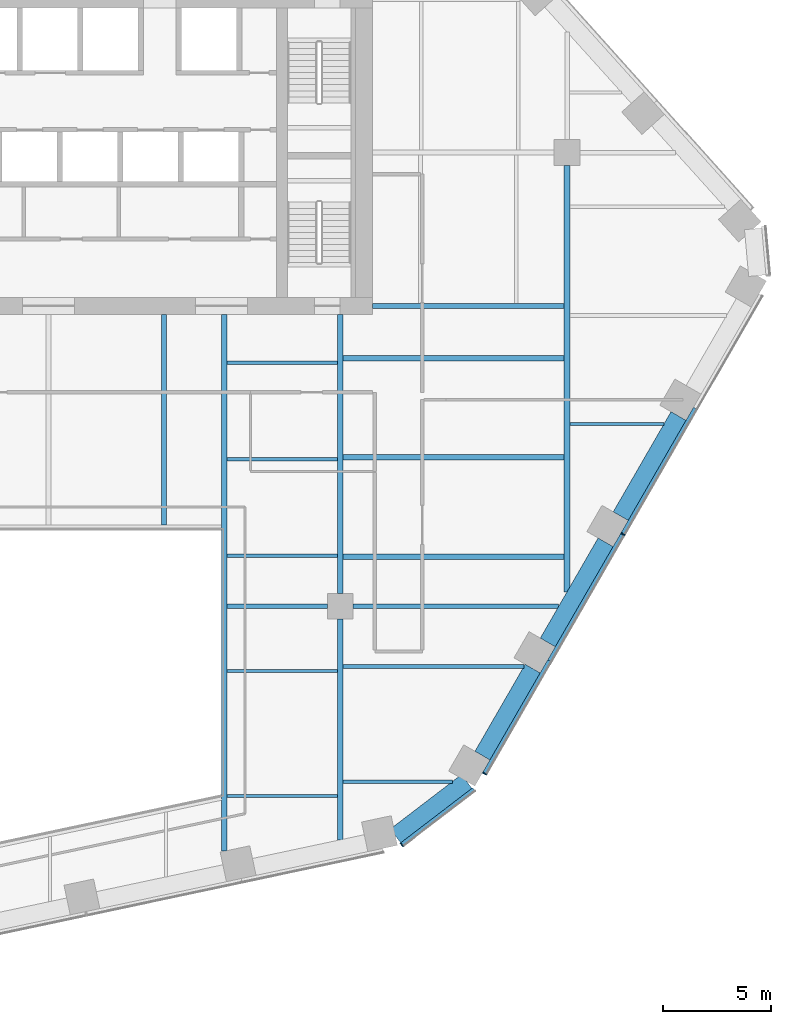
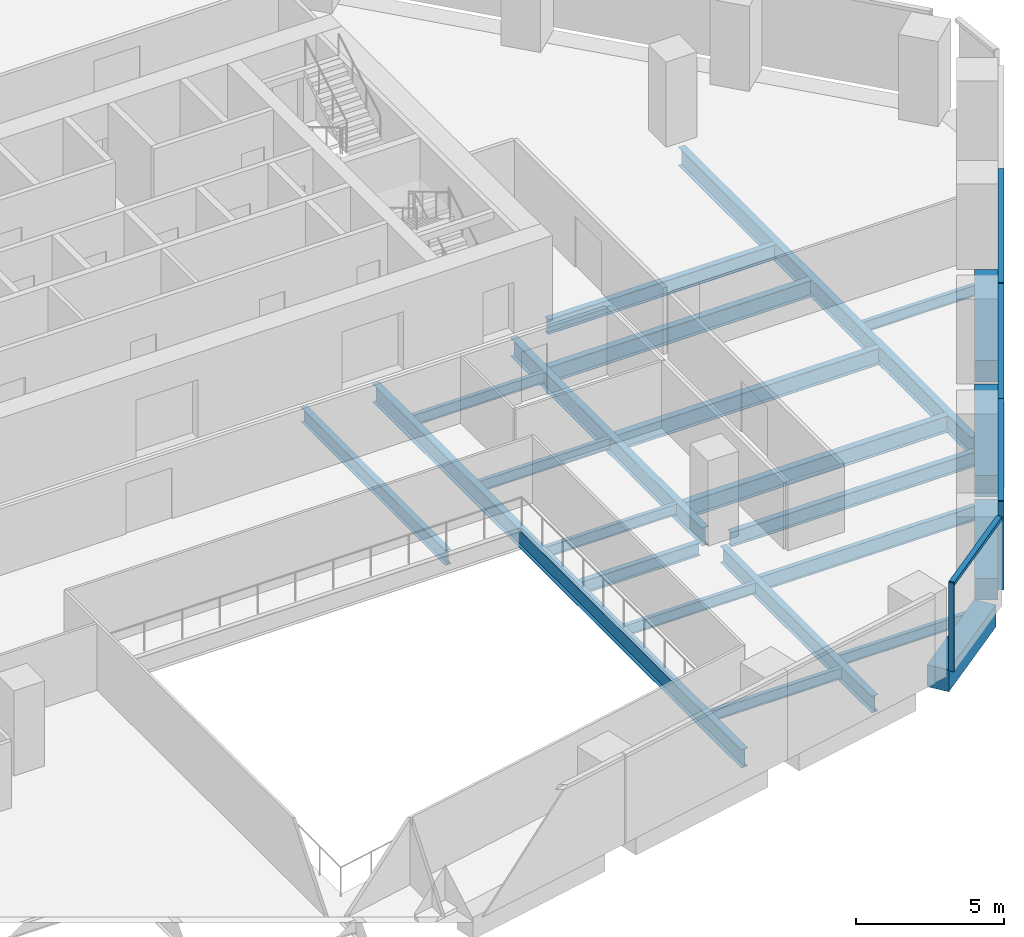
# One storey, part 5 of 16: 23 beams, 7 members, 2 elements without a shape of their own.
"""IFC4 building model written with IfcOpenShell, lengths in metres."""

from ifc_helpers import new_model, si_unit, direction, frame, origin, origin_2d, place, context, subcontext, project, spatial, rectangle, i_section, extrude, material, layer, layer_set, material_profile, profile_set, type_object, element, aggregate, save


model = new_model("IFC4")

# Units and contexts
model_context = context("Model", 3, precision=1e-05, world=origin(), true_north=direction((0.0, 1.0)))
body_context = subcontext(model_context, "Body", "Model", "MODEL_VIEW")
ifc_project = project(units=[si_unit("LENGTHUNIT", "METRE"), si_unit("AREAUNIT", "SQUARE_METRE"), si_unit("VOLUMEUNIT", "CUBIC_METRE"), si_unit("PLANEANGLEUNIT", "RADIAN"), si_unit("MASSUNIT", "GRAM", prefix="KILO")], contexts=[model_context])

# Site, building, storey
site_placement = place(None, origin())
site = spatial("IfcSite", under=ifc_project, at=site_placement, CompositionType="ELEMENT")
building_placement = place(site_placement, origin())
building = spatial("IfcBuilding", under=site, at=building_placement, Name="Isthmus Gate Tower", CompositionType="ELEMENT")
storey_placement = place(building_placement, frame((0.0, 0.0, 155.35009765625)))
storey = spatial("IfcBuildingStorey", under=building, at=storey_placement, Name="L38", CompositionType="ELEMENT", Elevation=155.35009765625)

# Curtain wall, member
ifc_material_1 = material(Name="Aluminium, pale champagne anodised", Category="aluminium")
ifc_layer = layer(ifc_material_1, 0.199951171875)
ifc_layer_set = layer_set([ifc_layer], Name="CW-1 UNITISED CURTAIN WALL 200 DEEP")
curtain_wall_type = type_object("IfcCurtainWallType", Name="CW-1 UNITISED CURTAIN WALL 200 DEEP", PredefinedType="NOTDEFINED", material=ifc_layer_set)
curtain_wall_1_placement = place(storey_placement, origin())
curtain_wall_1 = element("IfcCurtainWall", 1, at=curtain_wall_1_placement, inside=storey, type_object=curtain_wall_type, Name="CW-1 S-SE L38", PredefinedType="NOTDEFINED")
ifc_material_2 = material(Name="Aluminium, pale champagne anodised", Category="aluminium")
ifc_material_profile_1 = material_profile(ifc_material_2, rectangle(XDim=0.06005859375, YDim=0.199951171875, at=origin_2d()), Name="60x200")
ifc_profile_set_1 = profile_set([ifc_material_profile_1], Name="Aluminium, pale champagne anodised")
member_type_1 = type_object("IfcMemberType", Name="CW-1 MULLION 60 X 200", PredefinedType="MULLION", material=ifc_profile_set_1)
member_1_placement = place(storey_placement, frame((16.346435546875, -24.5419921875, 0.0), z_axis=(0.0, 0.0, 1.0), x_axis=(0.794188594387, 0.607671355706, 0.0)))
member_1 = element("IfcMember", 2, at=member_1_placement, type_object=member_type_1, Name="CW-1 mullion", PredefinedType="MULLION", context=body_context, shape_type="SweptSolid", body=[
    extrude(rectangle(XDim=0.06005859375, YDim=0.199951171875, at=origin_2d()), origin(), (0.0, 0.0, 1.0), 3.64990234375),
])

# Curtain wall, members
curtain_wall_2_placement = place(storey_placement, origin())
curtain_wall_2 = element("IfcCurtainWall", 3, at=curtain_wall_2_placement, inside=storey, type_object=curtain_wall_type, Name="CW-1 SE L38", PredefinedType="NOTDEFINED")
member_2_placement = place(storey_placement, frame((20.18115234375, -21.245361328125, 0.0), z_axis=(0.0, 0.0, 1.0), x_axis=(0.5, 0.866025403784, 0.0)))
member_2 = element("IfcMember", 4, at=member_2_placement, type_object=member_type_1, Name="CW-1 mullion", PredefinedType="MULLION", context=body_context, shape_type="SweptSolid", body=[
    extrude(rectangle(XDim=0.06005859375, YDim=0.199951171875, at=origin_2d()), origin(), (0.0, 0.0, 1.0), 3.64990234375),
])
member_3_placement = place(storey_placement, frame((26.5810546875, -10.16015625, 0.0), z_axis=(0.0, 0.0, 1.0), x_axis=(0.5, 0.866025403784, 0.0)))
member_3 = element("IfcMember", 5, at=member_3_placement, type_object=member_type_1, Name="CW-1 mullion", PredefinedType="MULLION", context=body_context, shape_type="SweptSolid", body=[
    extrude(rectangle(XDim=0.06005859375, YDim=0.199951171875, at=origin_2d()), origin(), (0.0, 0.0, 1.0), 3.64990234375),
])

# Member
ifc_material_3 = material(Name="Aluminium, pale champagne anodised", Category="aluminium")
ifc_material_profile_2 = material_profile(ifc_material_3, rectangle(XDim=0.199951171875, YDim=0.139892578125, at=origin_2d()), Name="200x140")
ifc_profile_set_2 = profile_set([ifc_material_profile_2], Name="Aluminium, pale champagne anodised")
member_type_2 = type_object("IfcMemberType", Name="CW-1 TRANSOM 200 X 140", PredefinedType="USERDEFINED", material=ifc_profile_set_2)
member_4_placement = place(storey_placement, frame((16.3701171875, -24.52392578125, 3.579833984375), z_axis=(0.79419705805, 0.607660294066, 0.0), x_axis=(-0.607660294066, 0.79419705805, 0.0)))
member_4 = element("IfcMember", 6, at=member_4_placement, type_object=member_type_2, Name="CW-1 transom", ObjectType="TRANSOM", PredefinedType="USERDEFINED", context=body_context, shape_type="SweptSolid", body=[
    extrude(rectangle(XDim=0.199951171875, YDim=0.139892578125, at=origin_2d()), origin(), (0.0, 0.0, 1.0), 4.181640625),
])

aggregate(curtain_wall_1, [member_1, member_4])

member_5_placement = place(storey_placement, frame((20.196044921875, -21.219482421875, 3.579833984375), z_axis=(0.499996458184, 0.866027448643, 0.0), x_axis=(-0.866027448643, 0.499996458184, 0.0)))
member_5 = element("IfcMember", 7, at=member_5_placement, type_object=member_type_2, Name="CW-1 transom", ObjectType="TRANSOM", PredefinedType="USERDEFINED", context=body_context, shape_type="SweptSolid", body=[
    extrude(rectangle(XDim=0.199951171875, YDim=0.139892578125, at=origin_2d()), origin(), (0.0, 0.0, 1.0), 5.990234375),
])

member_6_placement = place(storey_placement, frame((23.191162109375, -16.03173828125, 3.579833984375), z_axis=(0.499997969693, 0.866026575979, 0.0), x_axis=(-0.866026575979, 0.499997969693, 0.0)))
member_6 = element("IfcMember", 8, at=member_6_placement, type_object=member_type_2, Name="CW-1 transom", ObjectType="TRANSOM", PredefinedType="USERDEFINED", context=body_context, shape_type="SweptSolid", body=[
    extrude(rectangle(XDim=0.199951171875, YDim=0.139892578125, at=origin_2d()), origin(), (0.0, 0.0, 1.0), 6.75),
])

member_7_placement = place(storey_placement, frame((26.59619140625, -10.134033203125, 3.579833984375), z_axis=(0.499997283838, 0.866026971956, 0.0), x_axis=(-0.866026971956, 0.499997283838, 0.0)))
member_7 = element("IfcMember", 9, at=member_7_placement, type_object=member_type_2, Name="CW-1 transom", ObjectType="TRANSOM", PredefinedType="USERDEFINED", context=body_context, shape_type="SweptSolid", body=[
    extrude(rectangle(XDim=0.199951171875, YDim=0.139892578125, at=origin_2d()), origin(), (0.0, 0.0, 1.0), 6.68994140625),
])

aggregate(curtain_wall_2, [member_2, member_5, member_6, member_3, member_7])

# Beams
ifc_material_4 = material(Name="Concrete f'c 60 MPa", Category="concrete")
ifc_material_profile_3 = material_profile(ifc_material_4, rectangle(XDim=0.800048828125, YDim=0.89990234375, at=origin_2d()), Name="RC 800X900")
ifc_profile_set_3 = profile_set([ifc_material_profile_3], Name="Concrete f'c 60 MPa")
beam_type_1 = type_object("IfcBeamType", Name="RC SPANDREL 800 X 900", PredefinedType="SPANDREL", material=ifc_profile_set_3)
for number, where, z_axis, x_axis, name in (
    (10, (29.158203125, -4.696533203125, -0.4501953125), (-0.500001594578, -0.866024483152, 0.0), (0.866024483152, -0.500001594578, 0.0), "str-spandrel-L38-07"),
    (11, (25.783203125, -10.542236328125, -0.4501953125), (-0.500001594578, -0.866024483152, 0.0), (0.866024483152, -0.500001594578, 0.0), "str-spandrel-L38-08"),
):
    element("IfcBeam", number, at=place(storey_placement, frame(where, z_axis=z_axis, x_axis=x_axis)), inside=storey, type_object=beam_type_1, Name=name, PredefinedType="SPANDREL", context=body_context, shape_type="SweptSolid", body=[
        extrude(rectangle(XDim=0.800048828125, YDim=0.89990234375, at=origin_2d()), origin(), (0.0, 0.0, 1.0), 5.35009765625),
    ])
beam_1_placement = place(storey_placement, frame((22.408203125, -16.387939453125, -0.4501953125), z_axis=(-0.500001179632, -0.866024722723, 0.0), x_axis=(0.866024722723, -0.500001179632, 0.0)))
element("IfcBeam", 12, at=beam_1_placement, inside=storey, type_object=beam_type_1, Name="str-spandrel-L38-09", PredefinedType="SPANDREL", context=body_context, shape_type="SweptSolid", body=[
    extrude(rectangle(XDim=0.800048828125, YDim=0.89990234375, at=origin_2d()), origin(), (0.0, 0.0, 1.0), 4.650390625),
])
beam_2_placement = place(storey_placement, frame((19.354248046875, -21.611083984375, -0.4501953125), z_axis=(-0.794205941875, -0.607648682949, 0.0), x_axis=(0.607648682949, -0.794205941875, 0.0)))
element("IfcBeam", 13, at=beam_2_placement, inside=storey, type_object=beam_type_1, Name="str-spandrel-L38-10", PredefinedType="SPANDREL", context=body_context, shape_type="SweptSolid", body=[
    extrude(rectangle(XDim=0.800048828125, YDim=0.89990234375, at=origin_2d()), origin(), (0.0, 0.0, 1.0), 4.15234375),
])
ifc_material_5 = material(Name="Structural steel ASTM A992 Gr 50", Category="steel")
ifc_material_profile_4 = material_profile(ifc_material_5, i_section(OverallWidth=0.15234375, OverallDepth=0.45068359375, WebThickness=0.0078125, FlangeThickness=0.010986328125, at=origin_2d()), Name="W18X35")
ifc_profile_set_4 = profile_set([ifc_material_profile_4], Name="Structural steel ASTM A992 Gr 50")
beam_type_2 = type_object("IfcBeamType", Name="STEEL FLOOR BEAM W18X35", PredefinedType="JOIST", material=ifc_profile_set_4)
for number, where, z_axis, x_axis, name in (
    (14, (8.263427734375, -22.283203125, -0.37548828125), (1.0, 0.0, 0.0), (0.0, 1.0, 0.0), "str-beam-L38-09-00"),
    (15, (8.263427734375, -16.49755859375, -0.37548828125), (1.0, 0.0, 0.0), (0.0, 1.0, 0.0), "str-beam-L38-09-01"),
):
    element("IfcBeam", number, at=place(storey_placement, frame(where, z_axis=z_axis, x_axis=x_axis)), inside=storey, type_object=beam_type_2, Name=name, PredefinedType="JOIST", context=body_context, shape_type="SweptSolid", body=[
        extrude(i_section(OverallWidth=0.15234375, OverallDepth=0.45068359375, WebThickness=0.0078125, FlangeThickness=0.010986328125, at=origin_2d()), origin(), (0.0, 0.0, 1.0), 5.109619140625),
    ])
for number, where, z_axis, x_axis, name in (
    (16, (8.263427734375, -11.16259765625, -0.37548828125), (1.0, 0.0, 0.0), (0.0, 1.0, 0.0), "str-beam-L38-10-00"),
    (17, (8.263427734375, -6.697509765625, -0.37548828125), (1.0, 0.0, 0.0), (0.0, 1.0, 0.0), "str-beam-L38-10-01"),
    (18, (8.263427734375, -2.232421875, -0.37548828125), (1.0, 0.0, 0.0), (0.0, 1.0, 0.0), "str-beam-L38-10-02"),
):
    element("IfcBeam", number, at=place(storey_placement, frame(where, z_axis=z_axis, x_axis=x_axis)), inside=storey, type_object=beam_type_2, Name=name, PredefinedType="JOIST", context=body_context, shape_type="SweptSolid", body=[
        extrude(i_section(OverallWidth=0.15234375, OverallDepth=0.45068359375, WebThickness=0.0078125, FlangeThickness=0.010986328125, at=origin_2d()), origin(), (0.0, 0.0, 1.0), 5.104736328125),
    ])
beam_3_placement = place(storey_placement, frame((13.626953125, -21.61767578125, -0.37548828125), z_axis=(1.0, 0.0, 0.0), x_axis=(0.0, 1.0, 0.0)))
element("IfcBeam", 19, at=beam_3_placement, inside=storey, type_object=beam_type_2, Name="str-beam-L38-11-00", PredefinedType="JOIST", context=body_context, shape_type="SweptSolid", body=[
    extrude(i_section(OverallWidth=0.15234375, OverallDepth=0.45068359375, WebThickness=0.0078125, FlangeThickness=0.010986328125, at=origin_2d()), origin(), (0.0, 0.0, 1.0), 5.060302734375),
])
beam_4_placement = place(storey_placement, frame((24.13330078125, -5.0625, -0.37548828125), z_axis=(1.0, 0.0, 0.0), x_axis=(0.0, 1.0, 0.0)))
element("IfcBeam", 20, at=beam_4_placement, inside=storey, type_object=beam_type_2, Name="str-beam-L38-16-00", PredefinedType="JOIST", context=body_context, shape_type="SweptSolid", body=[
    extrude(i_section(OverallWidth=0.15234375, OverallDepth=0.45068359375, WebThickness=0.0078125, FlangeThickness=0.010986328125, at=origin_2d()), origin(), (0.0, 0.0, 1.0), 4.351806640625),
])
ifc_material_6 = material(Name="Structural steel ASTM A992 Gr 50", Category="steel")
ifc_material_profile_5 = material_profile(ifc_material_6, i_section(OverallWidth=0.177734375, OverallDepth=0.60009765625, WebThickness=0.009521484375, FlangeThickness=0.0126953125, at=origin_2d()), Name="W24X55")
ifc_profile_set_5 = profile_set([ifc_material_profile_5], Name="Structural steel ASTM A992 Gr 50")
beam_type_3 = type_object("IfcBeamType", Name="STEEL FLOOR BEAM W24X55", PredefinedType="JOIST", material=ifc_profile_set_5)
beam_5_placement = place(storey_placement, frame((13.626953125, -16.2822265625, -0.4501953125), z_axis=(1.0, 0.0, 0.0), x_axis=(0.0, 1.0, 0.0)))
element("IfcBeam", 21, at=beam_5_placement, inside=storey, type_object=beam_type_3, Name="str-beam-L38-11-01", PredefinedType="JOIST", context=body_context, shape_type="SweptSolid", body=[
    extrude(i_section(OverallWidth=0.177734375, OverallDepth=0.60009765625, WebThickness=0.009521484375, FlangeThickness=0.0126953125, at=origin_2d()), origin(), (0.0, 0.0, 1.0), 8.38037109375),
])
ifc_material_7 = material(Name="Structural steel ASTM A992 Gr 50", Category="steel")
ifc_material_profile_6 = material_profile(ifc_material_7, i_section(OverallWidth=0.228515625, OverallDepth=0.603271484375, WebThickness=0.010986328125, FlangeThickness=0.014404296875, at=origin_2d()), Name="W24X68")
ifc_profile_set_6 = profile_set([ifc_material_profile_6], Name="Structural steel ASTM A992 Gr 50")
beam_type_4 = type_object("IfcBeamType", Name="STEEL FLOOR BEAM W24X68", PredefinedType="JOIST", material=ifc_profile_set_6)
beam_6_placement = place(storey_placement, frame((5.333251953125, -9.7333984375, -0.45166015625), z_axis=(0.0, 1.0, 0.0), x_axis=(-1.0, 0.0, 0.0)))
element("IfcBeam", 22, at=beam_6_placement, inside=storey, type_object=beam_type_4, Name="str-beam-L38-06-02", PredefinedType="JOIST", context=body_context, shape_type="SweptSolid", body=[
    extrude(i_section(OverallWidth=0.228515625, OverallDepth=0.603271484375, WebThickness=0.010986328125, FlangeThickness=0.014404296875, at=origin_2d()), origin(), (0.0, 0.0, 1.0), 9.7333984375),
])
ifc_material_8 = material(Name="Structural steel ASTM A992 Gr 50", Category="steel")
ifc_material_profile_7 = material_profile(ifc_material_8, i_section(OverallWidth=0.25390625, OverallDepth=0.679443359375, WebThickness=0.010986328125, FlangeThickness=0.015869140625, at=origin_2d()), Name="W27X84")
ifc_profile_set_7 = profile_set([ifc_material_profile_7], Name="Structural steel ASTM A992 Gr 50")
beam_type_5 = type_object("IfcBeamType", Name="STEEL FLOOR BEAM W27X84", PredefinedType="JOIST", material=ifc_profile_set_7)
for number, where, z_axis, x_axis, name in (
    (23, (13.6318359375, -11.202392578125, -0.48974609375), (1.0, 0.0, 0.0), (0.0, 1.0, 0.0), "str-beam-L38-12-00"),
    (24, (13.6318359375, -6.607177734375, -0.48974609375), (1.0, 0.0, 0.0), (0.0, 1.0, 0.0), "str-beam-L38-12-01"),
    (25, (13.6318359375, -2.011962890625, -0.48974609375), (1.0, 0.0, 0.0), (0.0, 1.0, 0.0), "str-beam-L38-12-02"),
):
    element("IfcBeam", number, at=place(storey_placement, frame(where, z_axis=z_axis, x_axis=x_axis)), inside=storey, type_object=beam_type_5, Name=name, PredefinedType="JOIST", context=body_context, shape_type="SweptSolid", body=[
        extrude(i_section(OverallWidth=0.25390625, OverallDepth=0.679443359375, WebThickness=0.010986328125, FlangeThickness=0.015869140625, at=origin_2d()), origin(), (0.0, 0.0, 1.0), 10.23486328125),
    ])
ifc_material_9 = material(Name="Structural steel ASTM A992 Gr 50", Category="steel")
ifc_material_profile_8 = material_profile(ifc_material_9, i_section(OverallWidth=0.20947265625, OverallDepth=0.533447265625, WebThickness=0.009521484375, FlangeThickness=0.015869140625, at=origin_2d()), Name="W21X62")
ifc_profile_set_8 = profile_set([ifc_material_profile_8], Name="Structural steel ASTM A992 Gr 50")
beam_type_6 = type_object("IfcBeamType", Name="STEEL GIRDER W21X62", PredefinedType="BEAM", material=ifc_profile_set_8)
beam_7_placement = place(storey_placement, frame((8.263427734375, -13.5, -0.416748046875), z_axis=(1.0, 0.0, 0.0), x_axis=(0.0, 1.0, 0.0)))
element("IfcBeam", 26, at=beam_7_placement, inside=storey, type_object=beam_type_6, Name="str-girder-L38-03", PredefinedType="BEAM", context=body_context, shape_type="SweptSolid", body=[
    extrude(i_section(OverallWidth=0.20947265625, OverallDepth=0.533447265625, WebThickness=0.009521484375, FlangeThickness=0.015869140625, at=origin_2d()), origin(), (0.0, 0.0, 1.0), 4.636474609375),
])
ifc_material_10 = material(Name="Structural steel ASTM A992 Gr 50", Category="steel")
ifc_material_profile_9 = material_profile(ifc_material_10, i_section(OverallWidth=0.228515625, OverallDepth=0.6064453125, WebThickness=0.010986328125, FlangeThickness=0.017578125, at=origin_2d()), Name="W24X76")
ifc_profile_set_9 = profile_set([ifc_material_profile_9], Name="Structural steel ASTM A992 Gr 50")
beam_type_7 = type_object("IfcBeamType", Name="STEEL GIRDER W24X76", PredefinedType="BEAM", material=ifc_profile_set_9)
beam_8_placement = place(storey_placement, frame((14.10009765625, -13.5, -0.453369140625), z_axis=(1.0, 0.0, 0.0), x_axis=(0.0, 1.0, 0.0)))
element("IfcBeam", 27, at=beam_8_placement, inside=storey, type_object=beam_type_7, Name="str-girder-L38-04", PredefinedType="BEAM", context=body_context, shape_type="SweptSolid", body=[
    extrude(i_section(OverallWidth=0.228515625, OverallDepth=0.6064453125, WebThickness=0.010986328125, FlangeThickness=0.017578125, at=origin_2d()), origin(), (0.0, 0.0, 1.0), 9.513427734375),
])
beam_9_placement = place(storey_placement, frame((15.0, 0.39990234375, -0.453369140625), z_axis=(1.0, 0.0, 0.0), x_axis=(0.0, 1.0, 0.0)))
element("IfcBeam", 28, at=beam_9_placement, inside=storey, type_object=beam_type_7, Name="str-girder-L38-14", PredefinedType="BEAM", context=body_context, shape_type="SweptSolid", body=[
    extrude(i_section(OverallWidth=0.228515625, OverallDepth=0.6064453125, WebThickness=0.010986328125, FlangeThickness=0.017578125, at=origin_2d()), origin(), (0.0, 0.0, 1.0), 8.86669921875),
])
ifc_material_11 = material(Name="Structural steel ASTM A992 Gr 50", Category="steel")
ifc_material_profile_10 = material_profile(ifc_material_11, i_section(OverallWidth=0.25390625, OverallDepth=0.679443359375, WebThickness=0.010986328125, FlangeThickness=0.015869140625, at=origin_2d()), Name="W27X84")
ifc_profile_set_10 = profile_set([ifc_material_profile_10], Name="Structural steel ASTM A992 Gr 50")
beam_type_8 = type_object("IfcBeamType", Name="STEEL GIRDER W27X84", PredefinedType="BEAM", material=ifc_profile_set_10)
beam_10_placement = place(storey_placement, frame((13.5, -24.3125, -0.48974609375), z_axis=(0.0, 1.0, 0.0), x_axis=(-1.0, 0.0, 0.0)))
element("IfcBeam", 29, at=beam_10_placement, inside=storey, type_object=beam_type_8, Name="str-girder-L38-09", PredefinedType="BEAM", context=body_context, shape_type="SweptSolid", body=[
    extrude(i_section(OverallWidth=0.25390625, OverallDepth=0.679443359375, WebThickness=0.010986328125, FlangeThickness=0.015869140625, at=origin_2d()), origin(), (0.0, 0.0, 1.0), 10.21240234375),
])
ifc_material_12 = material(Name="Structural steel ASTM A992 Gr 50", Category="steel")
ifc_material_profile_11 = material_profile(ifc_material_12, i_section(OverallWidth=0.2666015625, OverallDepth=0.7587890625, WebThickness=0.014404296875, FlangeThickness=0.01904296875, at=origin_2d()), Name="W30X108")
ifc_profile_set_11 = profile_set([ifc_material_profile_11], Name="Structural steel ASTM A992 Gr 50")
beam_type_9 = type_object("IfcBeamType", Name="STEEL GIRDER W30X108", PredefinedType="BEAM", material=ifc_profile_set_11)
beam_11_placement = place(storey_placement, frame((24.0, -12.830810546875, -0.529541015625), z_axis=(0.0, 1.0, 0.0), x_axis=(-1.0, 0.0, 0.0)))
element("IfcBeam", 30, at=beam_11_placement, inside=storey, type_object=beam_type_9, Name="str-girder-L38-11", PredefinedType="BEAM", context=body_context, shape_type="SweptSolid", body=[
    extrude(i_section(OverallWidth=0.2666015625, OverallDepth=0.7587890625, WebThickness=0.014404296875, FlangeThickness=0.01904296875, at=origin_2d()), origin(), (0.0, 0.0, 1.0), 19.730712890625),
])
ifc_material_13 = material(Name="Structural steel ASTM A992 Gr 50", Category="steel")
ifc_material_profile_12 = material_profile(ifc_material_13, i_section(OverallWidth=0.263427734375, OverallDepth=0.749267578125, WebThickness=0.0126953125, FlangeThickness=0.015869140625, at=origin_2d()), Name="W30X90")
ifc_profile_set_12 = profile_set([ifc_material_profile_12], Name="Structural steel ASTM A992 Gr 50")
beam_type_10 = type_object("IfcBeamType", Name="STEEL GIRDER W30X90", PredefinedType="BEAM", material=ifc_profile_set_12)
beam_12_placement = place(storey_placement, frame((13.5, -12.89990234375, -0.524658203125), z_axis=(0.0, 1.0, 0.0), x_axis=(-1.0, 0.0, 0.0)))
element("IfcBeam", 31, at=beam_12_placement, inside=storey, type_object=beam_type_10, Name="str-girder-L38-10", PredefinedType="BEAM", context=body_context, shape_type="SweptSolid", body=[
    extrude(i_section(OverallWidth=0.263427734375, OverallDepth=0.749267578125, WebThickness=0.0126953125, FlangeThickness=0.015869140625, at=origin_2d()), origin(), (0.0, 0.0, 1.0), 12.89990234375),
])
ifc_material_14 = material(Name="Structural steel ASTM A992 Gr 50", Category="steel")
ifc_material_profile_13 = material_profile(ifc_material_14, i_section(OverallWidth=0.263427734375, OverallDepth=0.749267578125, WebThickness=0.0126953125, FlangeThickness=0.015869140625, at=origin_2d()), Name="W30X90")
ifc_profile_set_13 = profile_set([ifc_material_profile_13], Name="Structural steel ASTM A992 Gr 50")
beam_type_11 = type_object("IfcBeamType", Name="STEEL TRIMMER W30X90", PredefinedType="BEAM", material=ifc_profile_set_13)
beam_13_placement = place(storey_placement, frame((8.1318359375, -24.84033203125, -0.524658203125), z_axis=(0.0, 1.0, 0.0), x_axis=(-1.0, 0.0, 0.0)))
element("IfcBeam", 32, at=beam_13_placement, inside=storey, type_object=beam_type_11, Name="str-trimmer-L38-01", PredefinedType="BEAM", context=body_context, shape_type="SweptSolid", body=[
    extrude(i_section(OverallWidth=0.263427734375, OverallDepth=0.749267578125, WebThickness=0.0126953125, FlangeThickness=0.015869140625, at=origin_2d()), origin(), (0.0, 0.0, 1.0), 24.84033203125),
])

save(model, "model.ifc")
